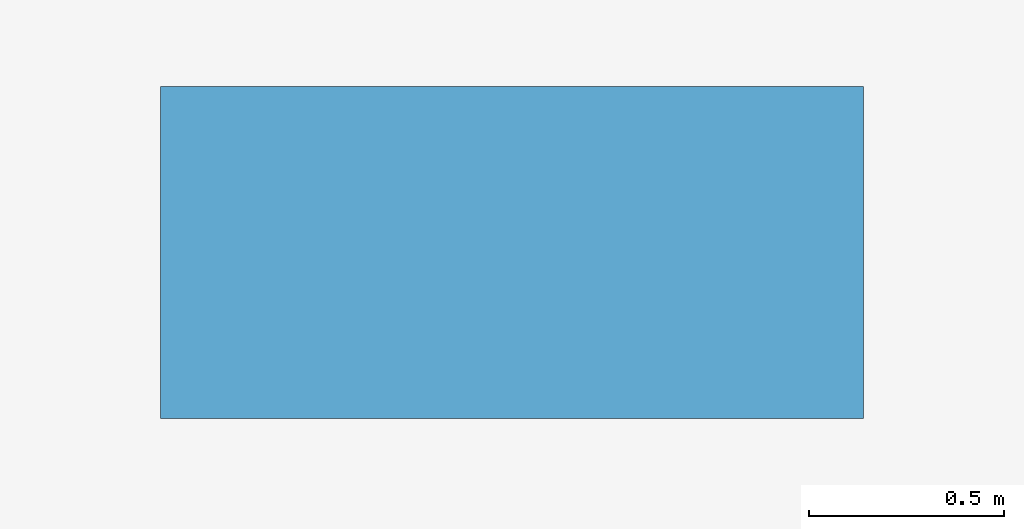
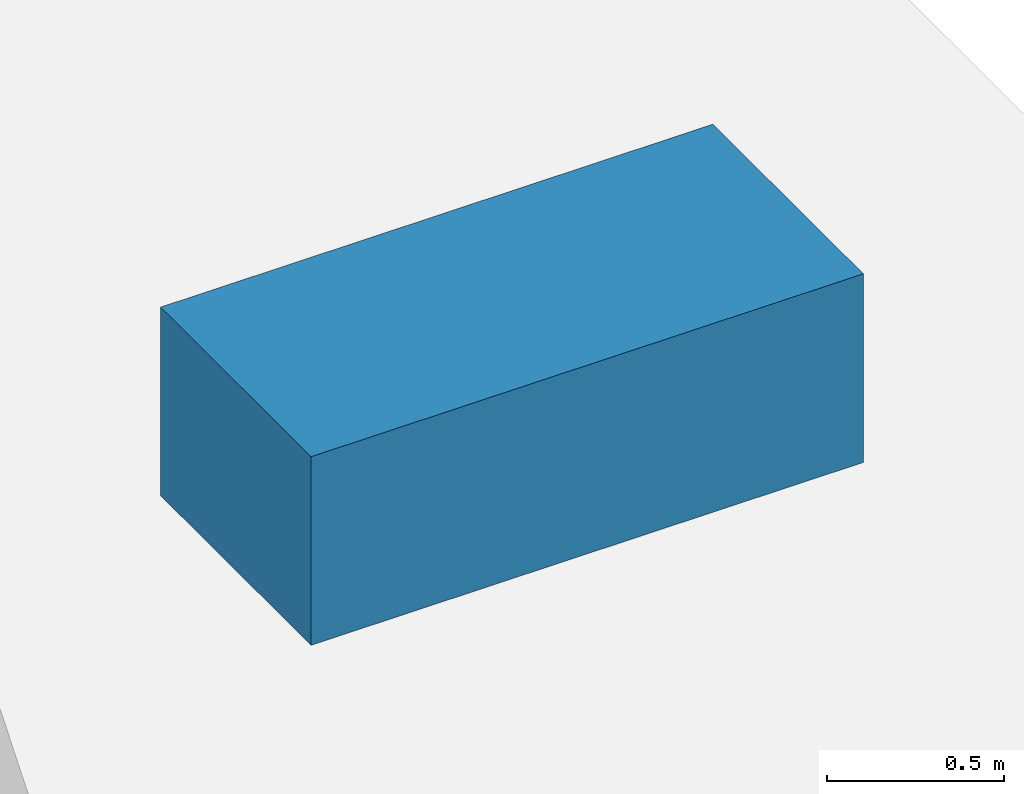
# One storey, part 23 of 26: 1 discrete accessory.
"""IFC4 building model written with IfcOpenShell, lengths in metres."""

from ifc_helpers import new_model, si_unit, direction, frame, origin, origin_2d, place, context, subcontext, project, spatial, rectangle, extrude, source, transform, mapped, material, type_object, element, save


model = new_model("IFC4")

# Units and contexts
model_context = context("Model", 3, precision=1e-05, world=origin(), true_north=direction((0.0, 1.0)))
body_context = subcontext(model_context, "Body", "Model", "MODEL_VIEW")
ifc_project = project(units=[si_unit("LENGTHUNIT", "METRE"), si_unit("AREAUNIT", "SQUARE_METRE"), si_unit("VOLUMEUNIT", "CUBIC_METRE"), si_unit("PLANEANGLEUNIT", "RADIAN"), si_unit("MASSUNIT", "GRAM", prefix="KILO")], contexts=[model_context])

# Site, building, storey
site_placement = place(None, origin())
site = spatial("IfcSite", under=ifc_project, at=site_placement, CompositionType="ELEMENT")
building_placement = place(site_placement, origin())
building = spatial("IfcBuilding", under=site, at=building_placement, Name="Trelvane Seafront Commons", CompositionType="ELEMENT")
storey_placement = place(building_placement, frame((0.0, 0.0, 23.5)))
storey = spatial("IfcBuildingStorey", under=building, at=storey_placement, Name="L05", CompositionType="ELEMENT", Elevation=23.5)

# Discrete accessory
ifc_material = material(Name="Precast concrete C40/50", Category="concrete")
discrete_accessory_type = type_object("IfcDiscreteAccessoryType", Name="ARCH-ACC-PLANTER", PredefinedType="USERDEFINED", material=ifc_material)
shared_shape = source(origin(), body_context, "Body", "SweptSolid", [
    extrude(rectangle(XDim=1.800048828125, YDim=0.85009765625, at=origin_2d()), origin(), (0.0, 0.0, 1.0), 0.64990234375),
])
discrete_accessory_placement = place(storey_placement, frame((72.050048828125, 24.5, 0.0), z_axis=(0.0, 0.0, 1.0), x_axis=(1.0, 0.0, 0.0)))
element("IfcDiscreteAccessory", 1, at=discrete_accessory_placement, inside=storey, type_object=discrete_accessory_type, Name="PLN-L05-TR1-006", ObjectType="BALCONY TREE PLANTER", PredefinedType="USERDEFINED", context=body_context, shape_type="MappedRepresentation", body=[
    mapped(shared_shape, transform((0.0, 0.0, 0.0), x_axis=(1.0, 0.0, 0.0), y_axis=(0.0, 1.0, 0.0), z_axis=(0.0, 0.0, 1.0), scale=1.0)),
])

save(model, "model.ifc")
